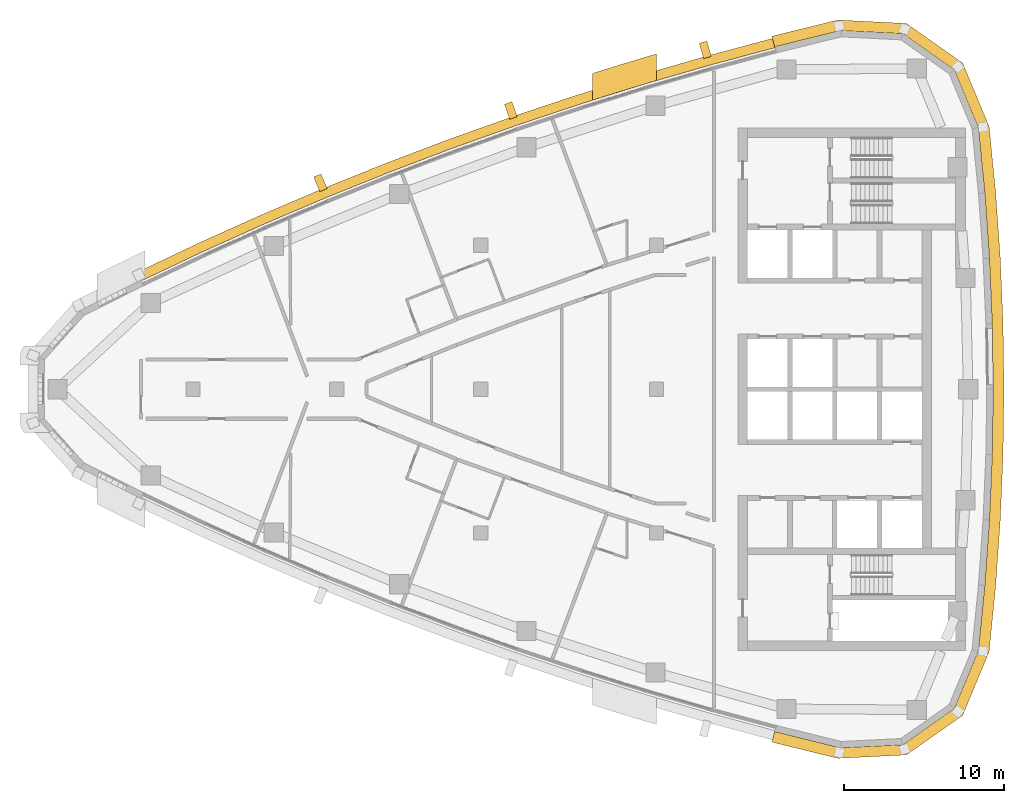
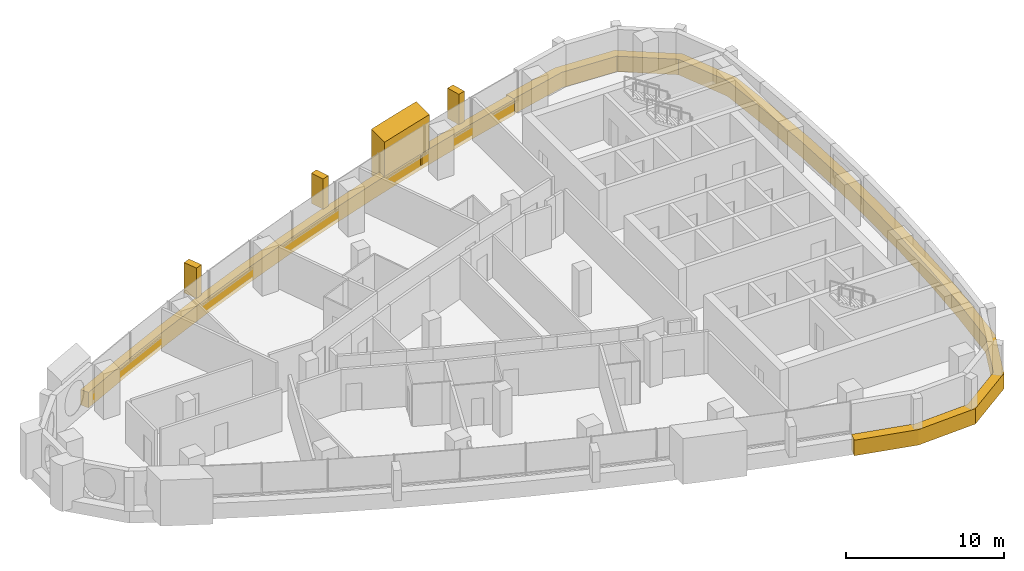
# One storey, part 14 of 15: 6 coverings.
"""IFC4 building model written with IfcOpenShell, lengths in metres."""

from ifc_helpers import new_model, si_unit, direction, frame, frame_2d, origin, place, context, subcontext, project, spatial, polyline, rectangle, outline, extrude, material, layer, layer_set, type_object, element, save


model = new_model("IFC4")

# Units and contexts
model_context = context("Model", 3, precision=1e-05, world=origin(), true_north=direction((0.0, 1.0)))
body_context = subcontext(model_context, "Body", "Model", "MODEL_VIEW")
ifc_project = project(units=[si_unit("LENGTHUNIT", "METRE"), si_unit("AREAUNIT", "SQUARE_METRE"), si_unit("VOLUMEUNIT", "CUBIC_METRE"), si_unit("PLANEANGLEUNIT", "RADIAN"), si_unit("MASSUNIT", "GRAM", prefix="KILO")], contexts=[model_context])

# Site, building, storey
site_placement = place(None, origin())
site = spatial("IfcSite", under=ifc_project, at=site_placement, CompositionType="ELEMENT")
building_placement = place(site_placement, origin())
building = spatial("IfcBuilding", under=site, at=building_placement, Name="Ostrand Prow Hotel Tower", CompositionType="ELEMENT")
storey_placement = place(building_placement, frame((0.0, 0.0, 231.449951171875)))
storey = spatial("IfcBuildingStorey", under=building, at=storey_placement, Name="L58", CompositionType="ELEMENT", Elevation=231.449951171875)

# Coverings
ifc_material_1 = material(Name="Bronze anodised aluminium cladding", Category="aluminium")
ifc_layer_1 = layer(ifc_material_1, 0.60009765625)
ifc_layer_set_1 = layer_set([ifc_layer_1], Name="Bronze anodised aluminium cladding")
covering_type_1 = type_object("IfcCoveringType", Name="Bronze spandrel band 1200x600", PredefinedType="CLADDING", material=ifc_layer_set_1)
covering_1_placement = place(storey_placement, frame((0.0, 0.0, -0.300048828125)))
element("IfcCovering", 1, at=covering_1_placement, inside=storey, type_object=covering_type_1, Name="Spandrel band N1", PredefinedType="CLADDING", context=body_context, shape_type="SweptSolid", body=[
    extrude(outline(polyline([(52.256591796875, 21.944580078125), (48.16064453125, 20.846435546875), (44.087890625, 19.665771484375), (40.039306640625, 18.403564453125), (36.017333984375, 17.059814453125), (32.02294921875, 15.635498046875), (28.058349609375, 14.131103515625), (24.12451171875, 12.547119140625), (20.2236328125, 10.88427734375), (16.35693359375, 9.14306640625), (12.526123046875, 7.324462890625), (12.788818359375, 6.784912109375), (16.60888671875, 8.598388671875), (20.464599609375, 10.334716796875), (24.354248046875, 11.992919921875), (28.27685546875, 13.572265625), (32.230224609375, 15.072509765625), (36.213134765625, 16.49267578125), (40.223876953125, 17.83251953125), (44.260498046875, 19.09130859375), (48.322021484375, 20.268310546875), (52.40625, 21.363525390625), (52.256591796875, 21.944580078125)])), origin(), (0.0, 0.0, 1.0), 1.2001953125),
])
covering_2_placement = place(storey_placement, frame((0.0, 0.0, -0.300048828125)))
element("IfcCovering", 2, at=covering_2_placement, inside=storey, type_object=covering_type_1, Name="Spandrel band back 1", PredefinedType="CLADDING", context=body_context, shape_type="SweptSolid", body=[
    extrude(outline(polyline([(52.22119140625, -22.081787109375), (56.34130859375, -23.09814453125), (60.638671875, -22.8837890625), (64.15771484375, -20.408447265625), (65.81201171875, -16.4365234375), (66.218505859375, -12.3388671875), (66.509033203125, -8.2314453125), (66.68359375, -4.117431640625), (66.74169921875, 0.0), (66.68359375, 4.117431640625), (66.509033203125, 8.2314453125), (66.218505859375, 12.3388671875), (65.81201171875, 16.4365234375), (64.15771484375, 20.408447265625), (60.638671875, 22.8837890625), (56.34130859375, 23.09814453125), (52.22119140625, 22.081787109375), (52.390869140625, 21.42333984375), (56.49755859375, 22.436279296875), (60.417236328125, 22.240966796875), (63.62744140625, 19.98291015625), (65.13623046875, 16.35986328125), (65.541015625, 12.281494140625), (65.830078125, 8.193115234375), (66.00390625, 4.09814453125), (66.061767578125, 0.0), (66.00390625, -4.09814453125), (65.830078125, -8.193115234375), (65.541015625, -12.281494140625), (65.13623046875, -16.35986328125), (63.62744140625, -19.98291015625), (60.417236328125, -22.240966796875), (56.49755859375, -22.436279296875), (52.390869140625, -21.42333984375), (52.22119140625, -22.081787109375)])), origin(), (0.0, 0.0, 1.0), 1.2001953125),
])
ifc_material_2 = material(Name="Limestone cladding", Category="masonry")
ifc_layer_2 = layer(ifc_material_2, 5.0)
ifc_layer_set_2 = layer_set([ifc_layer_2], Name="Limestone cladding")
covering_type_2 = type_object("IfcCoveringType", Name="Portal jamb pilaster limestone", PredefinedType="CLADDING", material=ifc_layer_set_2)
covering_3_placement = place(storey_placement, origin())
element("IfcCovering", 3, at=covering_3_placement, inside=storey, type_object=covering_type_2, Name="Portal jamb NB L58", PredefinedType="CLADDING", context=body_context, shape_type="SweptSolid", body=[
    extrude(outline(polyline([(41.0, 18.08154296875), (42.0, 18.3974609375), (43.0, 18.707763671875), (44.0, 19.0126953125), (45.0, 19.312255859375), (45.0, 20.980712890625), (44.0, 20.68359375), (43.0, 20.381103515625), (42.0, 20.0732421875), (41.0, 19.760009765625), (41.0, 18.08154296875)])), origin(), (0.0, 0.0, 1.0), 3.550048828125),
])
ifc_material_3 = material(Name="Limestone cladding", Category="masonry")
ifc_layer_3 = layer(ifc_material_3, 0.5)
ifc_layer_set_3 = layer_set([ifc_layer_3], Name="Limestone cladding")
covering_type_3 = type_object("IfcCoveringType", Name="Precast stone fin 500x900", PredefinedType="CLADDING", material=ifc_layer_set_3)
for number, where, z_axis, x_axis, name in (
    (4, (48.1875, 20.75, 0.900146484375), (0.0, 0.0, 1.0), (-0.26852507925, 0.963272693381, 0.0), "Stone fin N 2"),
    (5, (36.0498046875, 16.96533203125, 0.900146484375), (0.0, 0.0, 1.0), (-0.326389393469, 0.945235401279, 0.0), "Stone fin N 5"),
    (6, (24.162841796875, 12.45458984375, 0.900146484375), (0.0, 0.0, 1.0), (-0.382811769845, 0.923826362943, 0.0), "Stone fin N 8"),
):
    element("IfcCovering", number, at=place(storey_placement, frame(where, z_axis=z_axis, x_axis=x_axis)), inside=storey, type_object=covering_type_3, Name=name, PredefinedType="CLADDING", context=body_context, shape_type="SweptSolid", body=[
        extrude(rectangle(XDim=1.0, YDim=0.5, at=frame_2d((0.5, 0.0))), origin(), (0.0, 0.0, 1.0), 2.349853515625),
    ])

save(model, "model.ifc")
